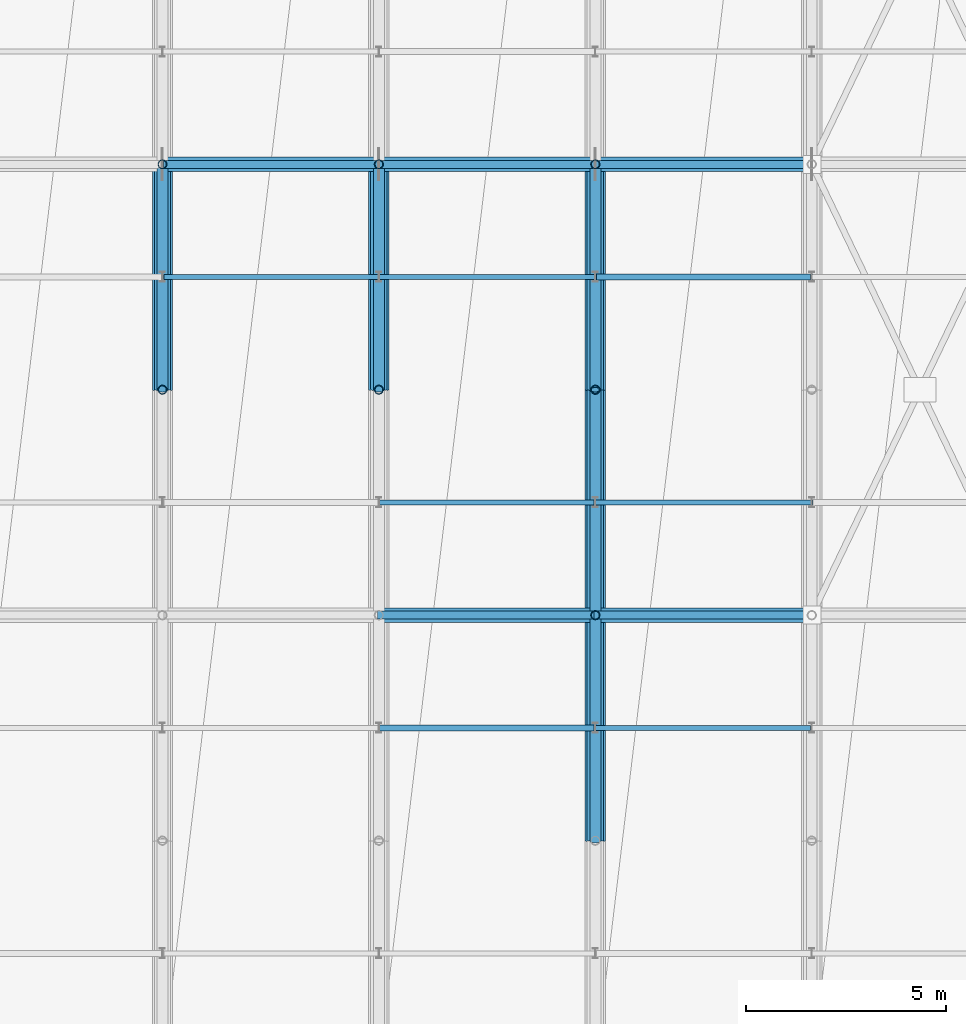
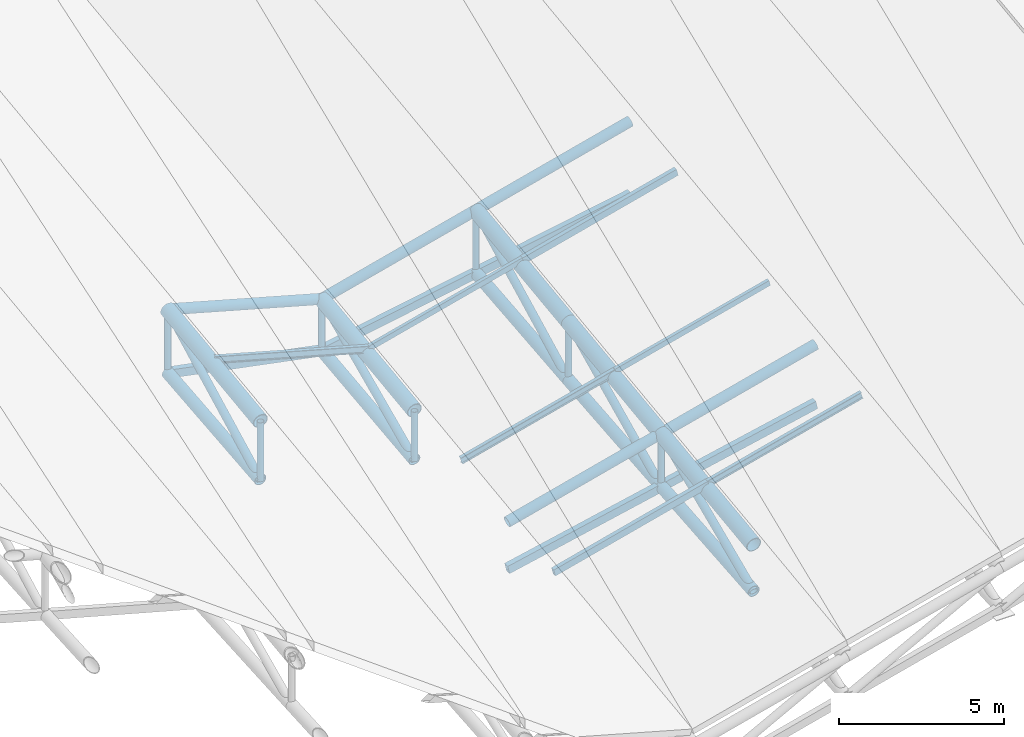
# One storey, part 6 of 109: 29 members, 10 beams.
"""IFC4 building model written with IfcOpenShell, lengths in metres."""

from ifc_helpers import new_model, si_unit, direction, frame, origin, origin_2d, place, context, subcontext, project, spatial, hollow_rectangle, hollow_circle, i_section, extrude, material, material_profile, profile_set, type_object, element, save


model = new_model("IFC4")

# Units and contexts
model_context = context("Model", 3, precision=1e-05, world=origin(), true_north=direction((0.0, 1.0)))
body_context = subcontext(model_context, "Body", "Model", "MODEL_VIEW")
ifc_project = project(units=[si_unit("LENGTHUNIT", "METRE"), si_unit("AREAUNIT", "SQUARE_METRE"), si_unit("VOLUMEUNIT", "CUBIC_METRE"), si_unit("PLANEANGLEUNIT", "RADIAN"), si_unit("MASSUNIT", "GRAM", prefix="KILO")], contexts=[model_context])

# Site, building, storey
site_placement = place(None, origin())
site = spatial("IfcSite", under=ifc_project, at=site_placement, CompositionType="ELEMENT")
building_placement = place(site_placement, origin())
building = spatial("IfcBuilding", under=site, at=building_placement, Name="Suirenkawa Promenade Aquatics Centre", CompositionType="ELEMENT")
storey_placement = place(building_placement, frame((0.0, 0.0, 22.800048828125)))
storey = spatial("IfcBuildingStorey", under=building, at=storey_placement, Name="ROOF", CompositionType="ELEMENT", Elevation=22.800048828125)

# Beams
ifc_material = material(Name="Steel IS 2062 E350 (Grade 350)", Category="steel")
ifc_material_profile_1 = material_profile(ifc_material, hollow_circle(Radius=0.202880859375, WallThickness=0.01806640625, at=origin_2d()), Name="CHS 406x18", Category="steel")
ifc_profile_set_1 = profile_set([ifc_material_profile_1], Name="Steel IS 2062 E350 (Grade 350)")
beam_type_1 = type_object("IfcBeamType", Name="BT-BC-CHS406", PredefinedType="BEAM", material=ifc_profile_set_1)
beam_1_placement = place(storey_placement, frame((84.60009765625, 67.27490234375, -13.5029296875), z_axis=(0.0, 0.995118108673, 0.098691183955), x_axis=(-1.0, 0.0, 0.0)))
element("IfcBeam", 1, at=beam_1_placement, inside=storey, type_object=beam_type_1, Name="ROOF TRUSS V1 bottom chord BC-01 BM-2010", PredefinedType="BEAM", context=body_context, shape_type="SweptSolid", body=[
    extrude(hollow_circle(Radius=0.202880859375, WallThickness=0.01806640625, at=origin_2d()), origin(), (0.0, 0.0, 1.0), 5.652587890625),
])
beam_2_placement = place(storey_placement, frame((90.0, 67.27490234375, -14.651123046875), z_axis=(0.0, 0.993528502262, 0.11358307617), x_axis=(-1.0, 0.0, 0.0)))
element("IfcBeam", 2, at=beam_2_placement, inside=storey, type_object=beam_type_1, Name="ROOF TRUSS V1 bottom chord BC-01 BM-2038", PredefinedType="BEAM", context=body_context, shape_type="SweptSolid", body=[
    extrude(hollow_circle(Radius=0.202880859375, WallThickness=0.01806640625, at=origin_2d()), origin(), (0.0, 0.0, 1.0), 5.66162109375),
])
beam_3_placement = place(storey_placement, frame((95.39990234375, 56.02490234375, -14.59912109375), z_axis=(0.0, 0.996148531975, 0.087681823908), x_axis=(-1.0, 0.0, 0.0)))
element("IfcBeam", 3, at=beam_3_placement, inside=storey, type_object=beam_type_1, Name="ROOF TRUSS V1 bottom chord BC-01 BM-2062", PredefinedType="BEAM", context=body_context, shape_type="SweptSolid", body=[
    extrude(hollow_circle(Radius=0.202880859375, WallThickness=0.01806640625, at=origin_2d()), origin(), (0.0, 0.0, 1.0), 5.646728515625),
])
beam_4_placement = place(storey_placement, frame((95.39990234375, 61.64990234375, -14.10400390625), z_axis=(0.0, 0.995690271881, 0.092740942858), x_axis=(-1.0, 0.0, 0.0)))
element("IfcBeam", 4, at=beam_4_placement, inside=storey, type_object=beam_type_1, Name="ROOF TRUSS V1 bottom chord BC-01 BM-2064", PredefinedType="BEAM", context=body_context, shape_type="SweptSolid", body=[
    extrude(hollow_circle(Radius=0.202880859375, WallThickness=0.01806640625, at=origin_2d()), origin(), (0.0, 0.0, 1.0), 5.6494140625),
])
beam_5_placement = place(storey_placement, frame((95.39990234375, 67.27490234375, -13.580078125), z_axis=(0.0, 0.995011501931, 0.099760267772), x_axis=(-1.0, 0.0, 0.0)))
element("IfcBeam", 5, at=beam_5_placement, inside=storey, type_object=beam_type_1, Name="ROOF TRUSS V1 bottom chord BC-01 BM-2066", PredefinedType="BEAM", context=body_context, shape_type="SweptSolid", body=[
    extrude(hollow_circle(Radius=0.202880859375, WallThickness=0.01806640625, at=origin_2d()), origin(), (0.0, 0.0, 1.0), 5.6533203125),
])
ifc_material_profile_2 = material_profile(ifc_material, hollow_circle(Radius=0.25390625, WallThickness=0.02392578125, at=origin_2d()), Name="CHS 508x24", Category="steel")
ifc_profile_set_2 = profile_set([ifc_material_profile_2], Name="Steel IS 2062 E350 (Grade 350)")
beam_type_2 = type_object("IfcBeamType", Name="BT-TC-CHS508", PredefinedType="BEAM", material=ifc_profile_set_2)
for number, where, z_axis, x_axis, name in (
    (6, (84.60009765625, 67.27490234375, -11.324951171875), (0.0, 0.991799178012, 0.127806065951), (-1.0, 0.0, 0.0), "ROOF TRUSS V1 top chord TC-02 BM-2009"),
    (7, (90.0, 67.27490234375, -12.824951171875), (0.0, 0.991799178012, 0.127806065951), (-1.0, 0.0, 0.0), "ROOF TRUSS V1 top chord TC-02 BM-2037"),
    (8, (95.39990234375, 56.02490234375, -12.875), (0.0, 0.991799178012, 0.127806065951), (-1.0, 0.0, 0.0), "ROOF TRUSS V1 top chord TC-02 BM-2061"),
    (9, (95.39990234375, 61.64990234375, -12.150146484375), (0.0, 0.991793720609, 0.127848409297), (-1.0, 0.0, 0.0), "ROOF TRUSS V1 top chord TC-02 BM-2063"),
    (10, (95.39990234375, 67.27490234375, -11.425048828125), (0.0, 0.991793720609, 0.127848409297), (-1.0, 0.0, 0.0), "ROOF TRUSS V1 top chord TC-02 BM-2065"),
):
    element("IfcBeam", number, at=place(storey_placement, frame(where, z_axis=z_axis, x_axis=x_axis)), inside=storey, type_object=beam_type_2, Name=name, PredefinedType="BEAM", context=body_context, shape_type="SweptSolid", body=[
        extrude(hollow_circle(Radius=0.25390625, WallThickness=0.02392578125, at=origin_2d()), origin(), (0.0, 0.0, 1.0), 5.671630859375),
    ])

# Members
ifc_material_profile_3 = material_profile(ifc_material, hollow_circle(Radius=0.177978515625, WallThickness=0.01611328125, at=origin_2d()), Name="CHS 356x16", Category="steel")
ifc_profile_set_3 = profile_set([ifc_material_profile_3], Name="Steel IS 2062 E350 (Grade 350)")
member_type_1 = type_object("IfcMemberType", Name="MT-CHORD-CHS356", PredefinedType="CHORD", material=ifc_profile_set_3)
member_1_placement = place(storey_placement, frame((90.0, 61.64990234375, -13.550048828125), z_axis=(0.968000048288, 0.0, 0.250950007997), x_axis=(0.0, 1.0, 0.0)))
element("IfcMember", 11, at=member_1_placement, inside=storey, type_object=member_type_1, Name="ROOF TRUSS V1 tie chord CH-02 MB-0704", PredefinedType="CHORD", context=body_context, shape_type="SweptSolid", body=[
    extrude(hollow_circle(Radius=0.177978515625, WallThickness=0.01611328125, at=origin_2d()), origin(), (0.0, 0.0, 1.0), 5.578369140625),
])
member_2_placement = place(storey_placement, frame((95.39990234375, 61.64990234375, -12.150146484375), z_axis=(0.967992172948, 0.0, 0.250980383917), x_axis=(0.0, 1.0, 0.0)))
element("IfcMember", 12, at=member_2_placement, inside=storey, type_object=member_type_1, Name="ROOF TRUSS V1 tie chord CH-02 MB-0706", PredefinedType="CHORD", context=body_context, shape_type="SweptSolid", body=[
    extrude(hollow_circle(Radius=0.177978515625, WallThickness=0.01611328125, at=origin_2d()), origin(), (0.0, 0.0, 1.0), 5.57861328125),
])
member_3_placement = place(storey_placement, frame((84.60009765625, 72.89990234375, -10.60009765625), z_axis=(0.963516661409, 0.0, -0.267648357342), x_axis=(0.0, 1.0, 0.0)))
element("IfcMember", 13, at=member_3_placement, inside=storey, type_object=member_type_1, Name="ROOF TRUSS V1 tie chord CH-02 MB-0742", PredefinedType="CHORD", context=body_context, shape_type="SweptSolid", body=[
    extrude(hollow_circle(Radius=0.177978515625, WallThickness=0.01611328125, at=origin_2d()), origin(), (0.0, 0.0, 1.0), 5.604248046875),
])
member_4_placement = place(storey_placement, frame((90.0, 72.89990234375, -12.10009765625), z_axis=(0.967989416096, 0.0, 0.250991016426), x_axis=(0.0, 1.0, 0.0)))
element("IfcMember", 14, at=member_4_placement, inside=storey, type_object=member_type_1, Name="ROOF TRUSS V1 tie chord CH-02 MB-0744", PredefinedType="CHORD", context=body_context, shape_type="SweptSolid", body=[
    extrude(hollow_circle(Radius=0.177978515625, WallThickness=0.01611328125, at=origin_2d()), origin(), (0.0, 0.0, 1.0), 5.578369140625),
])
member_5_placement = place(storey_placement, frame((95.39990234375, 72.89990234375, -10.699951171875), z_axis=(0.96800280427, 0.0, 0.250939376992), x_axis=(0.0, 1.0, 0.0)))
element("IfcMember", 15, at=member_5_placement, inside=storey, type_object=member_type_1, Name="ROOF TRUSS V1 tie chord CH-02 MB-0746", PredefinedType="CHORD", context=body_context, shape_type="SweptSolid", body=[
    extrude(hollow_circle(Radius=0.177978515625, WallThickness=0.01611328125, at=origin_2d()), origin(), (0.0, 0.0, 1.0), 5.57861328125),
])
ifc_material_profile_4 = material_profile(ifc_material, hollow_rectangle(XDim=0.199951171875, YDim=0.300048828125, WallThickness=0.011962890625, at=origin_2d()), Name="RHS 300x200x12", Category="steel")
ifc_profile_set_4 = profile_set([ifc_material_profile_4], Name="Steel IS 2062 E350 (Grade 350)")
member_type_2 = type_object("IfcMemberType", Name="MT-CHORD-RHS300", PredefinedType="CHORD", material=ifc_profile_set_4)
member_6_placement = place(storey_placement, frame((90.0, 61.64990234375, -15.27294921875), z_axis=(0.977361837017, 0.0, 0.21157466659), x_axis=(0.0, 1.0, 0.0)))
element("IfcMember", 16, at=member_6_placement, inside=storey, type_object=member_type_2, Name="ROOF TRUSS V1 bottom tie CH-03 MB-0705", PredefinedType="CHORD", context=body_context, shape_type="SweptSolid", body=[
    extrude(hollow_rectangle(XDim=0.199951171875, YDim=0.300048828125, WallThickness=0.011962890625, at=origin_2d()), origin(), (0.0, 0.0, 1.0), 5.52490234375),
])
member_7_placement = place(storey_placement, frame((95.39990234375, 61.64990234375, -14.10400390625), z_axis=(0.977363814937, 0.0, 0.211565529451), x_axis=(0.0, 1.0, 0.0)))
element("IfcMember", 17, at=member_7_placement, inside=storey, type_object=member_type_2, Name="ROOF TRUSS V1 bottom tie CH-03 MB-0707", PredefinedType="CHORD", context=body_context, shape_type="SweptSolid", body=[
    extrude(hollow_rectangle(XDim=0.199951171875, YDim=0.300048828125, WallThickness=0.011962890625, at=origin_2d()), origin(), (0.0, 0.0, 1.0), 5.525146484375),
])
member_8_placement = place(storey_placement, frame((84.60009765625, 72.89990234375, -12.945068359375), z_axis=(0.981169932548, 0.0, -0.193146481884), x_axis=(0.0, 1.0, 0.0)))
element("IfcMember", 18, at=member_8_placement, inside=storey, type_object=member_type_2, Name="ROOF TRUSS V1 bottom tie CH-03 MB-0743", PredefinedType="CHORD", context=body_context, shape_type="SweptSolid", body=[
    extrude(hollow_rectangle(XDim=0.199951171875, YDim=0.300048828125, WallThickness=0.011962890625, at=origin_2d()), origin(), (0.0, 0.0, 1.0), 5.50341796875),
])
member_9_placement = place(storey_placement, frame((90.0, 72.89990234375, -14.008056640625), z_axis=(0.983543134843, 0.0, 0.180673467622), x_axis=(0.0, 1.0, 0.0)))
element("IfcMember", 19, at=member_9_placement, inside=storey, type_object=member_type_2, Name="ROOF TRUSS V1 bottom tie CH-03 MB-0745", PredefinedType="CHORD", context=body_context, shape_type="SweptSolid", body=[
    extrude(hollow_rectangle(XDim=0.199951171875, YDim=0.300048828125, WallThickness=0.011962890625, at=origin_2d()), origin(), (0.0, 0.0, 1.0), 5.490234375),
])
member_10_placement = place(storey_placement, frame((95.39990234375, 72.89990234375, -13.01611328125), z_axis=(0.983505057937, 0.0, 0.180880626416), x_axis=(0.0, 1.0, 0.0)))
element("IfcMember", 20, at=member_10_placement, inside=storey, type_object=member_type_2, Name="ROOF TRUSS V1 bottom tie CH-03 MB-0747", PredefinedType="CHORD", context=body_context, shape_type="SweptSolid", body=[
    extrude(hollow_rectangle(XDim=0.199951171875, YDim=0.300048828125, WallThickness=0.011962890625, at=origin_2d()), origin(), (0.0, 0.0, 1.0), 5.49072265625),
])
ifc_material_profile_5 = material_profile(ifc_material, i_section(OverallWidth=0.125, OverallDepth=0.25, WebThickness=0.007080078125, FlangeThickness=0.012939453125, at=origin_2d()), Name="ISMB 250", Category="steel")
ifc_profile_set_5 = profile_set([ifc_material_profile_5], Name="Steel IS 2062 E350 (Grade 350)")
member_type_3 = type_object("IfcMemberType", Name="MT-PURLIN-ISMB250", PredefinedType="PURLIN", material=ifc_profile_set_5)
member_11_placement = place(storey_placement, frame((84.60009765625, 70.087890625, -10.740966796875), z_axis=(0.963516661409, 0.0, -0.267648357342), x_axis=(0.0, 1.0, 0.0)))
element("IfcMember", 21, at=member_11_placement, inside=storey, type_object=member_type_3, Name="ROOF TRUSS Roof purlin PU-04 MB-1947", PredefinedType="PURLIN", context=body_context, shape_type="SweptSolid", body=[
    extrude(i_section(OverallWidth=0.125, OverallDepth=0.25, WebThickness=0.007080078125, FlangeThickness=0.012939453125, at=origin_2d()), origin(), (0.0, 0.0, 1.0), 5.604248046875),
])
member_12_placement = place(storey_placement, frame((90.0, 64.462890625, -12.966064453125), z_axis=(0.968042562019, 0.0, 0.250785960773), x_axis=(0.0, 1.0, 0.0)))
element("IfcMember", 22, at=member_12_placement, inside=storey, type_object=member_type_3, Name="ROOF TRUSS Roof purlin PU-04 MB-1981", PredefinedType="PURLIN", context=body_context, shape_type="SweptSolid", body=[
    extrude(i_section(OverallWidth=0.125, OverallDepth=0.25, WebThickness=0.007080078125, FlangeThickness=0.012939453125, at=origin_2d()), origin(), (0.0, 0.0, 1.0), 5.578125),
])
member_13_placement = place(storey_placement, frame((95.39990234375, 58.8369140625, -12.2919921875), z_axis=(0.96800280427, 0.0, 0.250939376992), x_axis=(0.0, 1.0, 0.0)))
element("IfcMember", 23, at=member_13_placement, inside=storey, type_object=member_type_3, Name="ROOF TRUSS Roof purlin PU-04 MB-2015", PredefinedType="PURLIN", context=body_context, shape_type="SweptSolid", body=[
    extrude(i_section(OverallWidth=0.125, OverallDepth=0.25, WebThickness=0.007080078125, FlangeThickness=0.012939453125, at=origin_2d()), origin(), (0.0, 0.0, 1.0), 5.57861328125),
])
ifc_material_profile_6 = material_profile(ifc_material, hollow_rectangle(XDim=0.1201171875, YDim=0.199951171875, WallThickness=0.008056640625, at=origin_2d()), Name="RHS 200x120x8", Category="steel")
ifc_profile_set_6 = profile_set([ifc_material_profile_6], Name="Steel IS 2062 E350 (Grade 350)")
member_type_4 = type_object("IfcMemberType", Name="MT-PURLIN-RHS200", PredefinedType="PURLIN", material=ifc_profile_set_6)
member_14_placement = place(storey_placement, frame((90.0, 70.087890625, -12.216064453125), z_axis=(0.968000048288, 0.0, 0.250950007997), x_axis=(0.0, 1.0, 0.0)))
element("IfcMember", 24, at=member_14_placement, inside=storey, type_object=member_type_4, Name="ROOF TRUSS Roof purlin PU-02 MB-1983", PredefinedType="PURLIN", context=body_context, shape_type="SweptSolid", body=[
    extrude(hollow_rectangle(XDim=0.1201171875, YDim=0.199951171875, WallThickness=0.008056640625, at=origin_2d()), origin(), (0.0, 0.0, 1.0), 5.578369140625),
])
member_15_placement = place(storey_placement, frame((95.39990234375, 64.462890625, -11.541015625), z_axis=(0.96800280427, 0.0, 0.250939376992), x_axis=(0.0, 1.0, 0.0)))
element("IfcMember", 25, at=member_15_placement, inside=storey, type_object=member_type_4, Name="ROOF TRUSS Roof purlin PU-02 MB-2017", PredefinedType="PURLIN", context=body_context, shape_type="SweptSolid", body=[
    extrude(hollow_rectangle(XDim=0.1201171875, YDim=0.199951171875, WallThickness=0.008056640625, at=origin_2d()), origin(), (0.0, 0.0, 1.0), 5.57861328125),
])
ifc_material_profile_7 = material_profile(ifc_material, hollow_rectangle(XDim=0.14990234375, YDim=0.25, WallThickness=0.010009765625, at=origin_2d()), Name="RHS 250x150x10", Category="steel")
ifc_profile_set_7 = profile_set([ifc_material_profile_7], Name="Steel IS 2062 E350 (Grade 350)")
member_type_5 = type_object("IfcMemberType", Name="MT-PURLIN-RHS250", PredefinedType="PURLIN", material=ifc_profile_set_7)
member_16_placement = place(storey_placement, frame((90.0, 58.8369140625, -13.693115234375), z_axis=(0.967989416096, 0.0, 0.250991016426), x_axis=(0.0, 1.0, 0.0)))
element("IfcMember", 26, at=member_16_placement, inside=storey, type_object=member_type_5, Name="ROOF TRUSS Roof purlin PU-03 MB-1979", PredefinedType="PURLIN", context=body_context, shape_type="SweptSolid", body=[
    extrude(hollow_rectangle(XDim=0.14990234375, YDim=0.25, WallThickness=0.010009765625, at=origin_2d()), origin(), (0.0, 0.0, 1.0), 5.578369140625),
])
member_17_placement = place(storey_placement, frame((95.39990234375, 70.087890625, -10.843017578125), z_axis=(0.96800280427, 0.0, 0.250939376992), x_axis=(0.0, 1.0, 0.0)))
element("IfcMember", 27, at=member_17_placement, inside=storey, type_object=member_type_5, Name="ROOF TRUSS Roof purlin PU-03 MB-2019", PredefinedType="PURLIN", context=body_context, shape_type="SweptSolid", body=[
    extrude(hollow_rectangle(XDim=0.14990234375, YDim=0.25, WallThickness=0.010009765625, at=origin_2d()), origin(), (0.0, 0.0, 1.0), 5.57861328125),
])
ifc_material_profile_8 = material_profile(ifc_material, hollow_circle(Radius=0.110107421875, WallThickness=0.010009765625, at=origin_2d()), Name="CHS 220x10", Category="steel")
ifc_profile_set_8 = profile_set([ifc_material_profile_8], Name="Steel IS 2062 E350 (Grade 350)")
member_type_6 = type_object("IfcMemberType", Name="MT-WEB-CHS220", PredefinedType="BRACE", material=ifc_profile_set_8)
member_18_placement = place(storey_placement, frame((84.60009765625, 67.27490234375, -13.5029296875), z_axis=(0.0, 0.0, 1.0), x_axis=(1.0, 0.0, 0.0)))
element("IfcMember", 28, at=member_18_placement, inside=storey, type_object=member_type_6, Name="ROOF TRUSS V1 web post TD-01 MB-0206", PredefinedType="BRACE", context=body_context, shape_type="SweptSolid", body=[
    extrude(hollow_circle(Radius=0.110107421875, WallThickness=0.010009765625, at=origin_2d()), origin(), (0.0, 0.0, 1.0), 2.177978515625),
])
member_19_placement = place(storey_placement, frame((84.60009765625, 72.89990234375, -12.945068359375), z_axis=(0.0, 0.0, 1.0), x_axis=(1.0, 0.0, 0.0)))
element("IfcMember", 29, at=member_19_placement, inside=storey, type_object=member_type_6, Name="ROOF TRUSS V1 web post TD-01 MB-0207", PredefinedType="BRACE", context=body_context, shape_type="SweptSolid", body=[
    extrude(hollow_circle(Radius=0.110107421875, WallThickness=0.010009765625, at=origin_2d()), origin(), (0.0, 0.0, 1.0), 2.344970703125),
])
member_20_placement = place(storey_placement, frame((90.0, 67.27490234375, -14.651123046875), z_axis=(0.0, 0.0, 1.0), x_axis=(1.0, 0.0, 0.0)))
element("IfcMember", 30, at=member_20_placement, inside=storey, type_object=member_type_6, Name="ROOF TRUSS V1 web post TD-01 MB-0233", PredefinedType="BRACE", context=body_context, shape_type="SweptSolid", body=[
    extrude(hollow_circle(Radius=0.110107421875, WallThickness=0.010009765625, at=origin_2d()), origin(), (0.0, 0.0, 1.0), 1.826171875),
])
member_21_placement = place(storey_placement, frame((90.0, 72.89990234375, -14.008056640625), z_axis=(0.0, 0.0, 1.0), x_axis=(1.0, 0.0, 0.0)))
element("IfcMember", 31, at=member_21_placement, inside=storey, type_object=member_type_6, Name="ROOF TRUSS V1 web post TD-01 MB-0234", PredefinedType="BRACE", context=body_context, shape_type="SweptSolid", body=[
    extrude(hollow_circle(Radius=0.110107421875, WallThickness=0.010009765625, at=origin_2d()), origin(), (0.0, 0.0, 1.0), 1.907958984375),
])
member_22_placement = place(storey_placement, frame((95.39990234375, 61.64990234375, -14.10400390625), z_axis=(0.0, 0.0, 1.0), x_axis=(1.0, 0.0, 0.0)))
element("IfcMember", 32, at=member_22_placement, inside=storey, type_object=member_type_6, Name="ROOF TRUSS V1 web post TD-01 MB-0259", PredefinedType="BRACE", context=body_context, shape_type="SweptSolid", body=[
    extrude(hollow_circle(Radius=0.110107421875, WallThickness=0.010009765625, at=origin_2d()), origin(), (0.0, 0.0, 1.0), 1.953857421875),
])
member_23_placement = place(storey_placement, frame((95.39990234375, 67.27490234375, -13.580078125), z_axis=(0.0, 0.0, 1.0), x_axis=(1.0, 0.0, 0.0)))
element("IfcMember", 33, at=member_23_placement, inside=storey, type_object=member_type_6, Name="ROOF TRUSS V1 web post TD-01 MB-0260", PredefinedType="BRACE", context=body_context, shape_type="SweptSolid", body=[
    extrude(hollow_circle(Radius=0.110107421875, WallThickness=0.010009765625, at=origin_2d()), origin(), (0.0, 0.0, 1.0), 2.155029296875),
])
member_24_placement = place(storey_placement, frame((95.39990234375, 72.89990234375, -13.01611328125), z_axis=(0.0, 0.0, 1.0), x_axis=(1.0, 0.0, 0.0)))
element("IfcMember", 34, at=member_24_placement, inside=storey, type_object=member_type_6, Name="ROOF TRUSS V1 web post TD-01 MB-0261", PredefinedType="BRACE", context=body_context, shape_type="SweptSolid", body=[
    extrude(hollow_circle(Radius=0.110107421875, WallThickness=0.010009765625, at=origin_2d()), origin(), (0.0, 0.0, 1.0), 2.316162109375),
])
ifc_material_profile_9 = material_profile(ifc_material, hollow_circle(Radius=0.136962890625, WallThickness=0.011962890625, at=origin_2d()), Name="CHS 274x12", Category="steel")
ifc_profile_set_9 = profile_set([ifc_material_profile_9], Name="Steel IS 2062 E350 (Grade 350)")
member_type_7 = type_object("IfcMemberType", Name="MT-WEB-CHS274", PredefinedType="BRACE", material=ifc_profile_set_9)
member_25_placement = place(storey_placement, frame((84.60009765625, 67.27490234375, -13.5029296875), z_axis=(0.0, 0.888646009653, 0.45859379578), x_axis=(-1.0, 0.0, 0.0)))
element("IfcMember", 35, at=member_25_placement, inside=storey, type_object=member_type_7, Name="ROOF TRUSS V1 web diagonal TD-02 MB-0193", PredefinedType="BRACE", context=body_context, shape_type="SweptSolid", body=[
    extrude(hollow_circle(Radius=0.136962890625, WallThickness=0.011962890625, at=origin_2d()), origin(), (0.0, 0.0, 1.0), 6.329833984375),
])
member_26_placement = place(storey_placement, frame((90.0, 67.27490234375, -14.651123046875), z_axis=(0.0, 0.910719458776, 0.413025504547), x_axis=(-1.0, 0.0, 0.0)))
element("IfcMember", 36, at=member_26_placement, inside=storey, type_object=member_type_7, Name="ROOF TRUSS V1 web diagonal TD-02 MB-0220", PredefinedType="BRACE", context=body_context, shape_type="SweptSolid", body=[
    extrude(hollow_circle(Radius=0.136962890625, WallThickness=0.011962890625, at=origin_2d()), origin(), (0.0, 0.0, 1.0), 6.176513671875),
])
member_27_placement = place(storey_placement, frame((95.39990234375, 56.02490234375, -14.59912109375), z_axis=(0.0, 0.916871918214, 0.399181519601), x_axis=(-1.0, 0.0, 0.0)))
element("IfcMember", 37, at=member_27_placement, inside=storey, type_object=member_type_7, Name="ROOF TRUSS V1 web diagonal TD-02 MB-0245", PredefinedType="BRACE", context=body_context, shape_type="SweptSolid", body=[
    extrude(hollow_circle(Radius=0.136962890625, WallThickness=0.011962890625, at=origin_2d()), origin(), (0.0, 0.0, 1.0), 6.135009765625),
])
member_28_placement = place(storey_placement, frame((95.39990234375, 61.64990234375, -14.10400390625), z_axis=(0.0, 0.902836614927, 0.429983774982), x_axis=(-1.0, 0.0, 0.0)))
element("IfcMember", 38, at=member_28_placement, inside=storey, type_object=member_type_7, Name="ROOF TRUSS V1 web diagonal TD-02 MB-0246", PredefinedType="BRACE", context=body_context, shape_type="SweptSolid", body=[
    extrude(hollow_circle(Radius=0.136962890625, WallThickness=0.011962890625, at=origin_2d()), origin(), (0.0, 0.0, 1.0), 6.23046875),
])
member_29_placement = place(storey_placement, frame((95.39990234375, 67.27490234375, -13.580078125), z_axis=(0.0, 0.890105675562, 0.455754195079), x_axis=(-1.0, 0.0, 0.0)))
element("IfcMember", 39, at=member_29_placement, inside=storey, type_object=member_type_7, Name="ROOF TRUSS V1 web diagonal TD-02 MB-0247", PredefinedType="BRACE", context=body_context, shape_type="SweptSolid", body=[
    extrude(hollow_circle(Radius=0.136962890625, WallThickness=0.011962890625, at=origin_2d()), origin(), (0.0, 0.0, 1.0), 6.319580078125),
])

save(model, "model.ifc")
